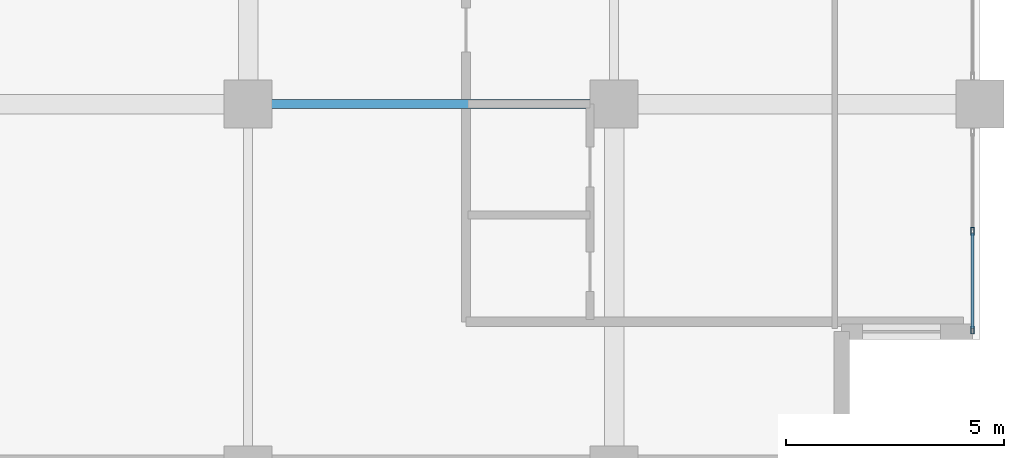
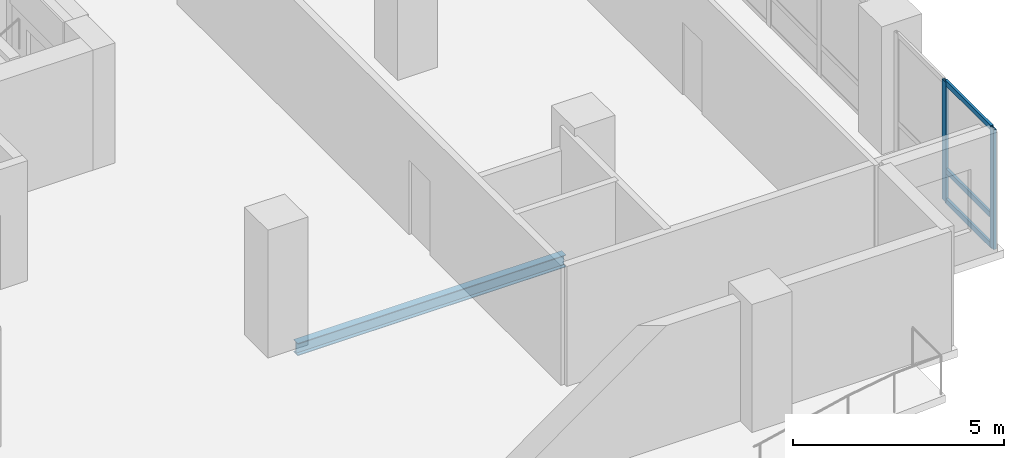
# One storey, part 3 of 21: 5 members, 1 beam, 1 element without a shape of its own.
"""IFC4 building model written with IfcOpenShell, lengths in metres."""

from ifc_helpers import new_model, si_unit, direction, frame, origin, origin_2d, place, context, subcontext, project, spatial, hollow_rectangle, i_section, extrude, material, layer, layer_set, material_profile, profile_set, type_object, element, aggregate, save


model = new_model("IFC4")

# Units and contexts
model_context = context("Model", 3, precision=1e-05, world=origin(), true_north=direction((0.0, 1.0)))
body_context = subcontext(model_context, "Body", "Model", "MODEL_VIEW")
ifc_project = project(units=[si_unit("LENGTHUNIT", "METRE"), si_unit("AREAUNIT", "SQUARE_METRE"), si_unit("VOLUMEUNIT", "CUBIC_METRE"), si_unit("PLANEANGLEUNIT", "RADIAN"), si_unit("MASSUNIT", "GRAM", prefix="KILO")], contexts=[model_context])

# Site, building, storey
site_placement = place(None, origin())
site = spatial("IfcSite", under=ifc_project, at=site_placement, CompositionType="ELEMENT")
building_placement = place(site_placement, origin())
building = spatial("IfcBuilding", under=site, at=building_placement, Name="Koriwani Terraces Tower", CompositionType="ELEMENT")
storey_placement = place(building_placement, frame((0.0, 0.0, 197.60009765625)))
storey = spatial("IfcBuildingStorey", under=building, at=storey_placement, Name="L48", CompositionType="ELEMENT", Elevation=197.60009765625)

# Curtain wall, members
ifc_material_1 = material(Name="Anodised Bronze Aluminium", Category="aluminium")
ifc_layer = layer(ifc_material_1, 0.169921875, Name="Anodised Bronze Aluminium")
ifc_layer_set = layer_set([ifc_layer], Name="Anodised Bronze Aluminium")
curtain_wall_type = type_object("IfcCurtainWallType", Name="CW_RES_ZONE3", PredefinedType="NOTDEFINED", material=ifc_layer_set)
curtain_wall_placement = place(storey_placement, origin())
curtain_wall = element("IfcCurtainWall", 1, at=curtain_wall_placement, inside=storey, type_object=curtain_wall_type, Name="L48 Unitised Curtain Wall (E_TIP) Bay 4", PredefinedType="NOTDEFINED")
ifc_material_profile_1 = material_profile(ifc_material_1, hollow_rectangle(XDim=0.074951171875, YDim=0.179931640625, WallThickness=0.006103515625, at=origin_2d()), Name="Anodised Bronze Aluminium", Category="LoadBearing")
ifc_profile_set_1 = profile_set([ifc_material_profile_1], Name="Anodised Bronze Aluminium")
member_type_1 = type_object("IfcMemberType", Name="CW_MULLION_180X75", PredefinedType="MULLION", material=ifc_profile_set_1)
member_1_placement = place(storey_placement, frame((75.425048828125, 5.482421875, 0.0), z_axis=(0.0, 0.0, 1.0), x_axis=(1.0, 0.0, 0.0)))
member_1 = element("IfcMember", 2, at=member_1_placement, type_object=member_type_1, Name="CW-Z3 mullion 2", PredefinedType="MULLION", context=body_context, shape_type="SweptSolid", body=[
    extrude(hollow_rectangle(XDim=0.074951171875, YDim=0.179931640625, WallThickness=0.006103515625, at=origin_2d()), origin(), (0.0, 0.0, 1.0), 3.469970703125),
])
member_2_placement = place(storey_placement, frame((75.425048828125, 3.21240234375, 0.0), z_axis=(0.0, 0.0, 1.0), x_axis=(1.0, 0.0, 0.0)))
member_2 = element("IfcMember", 3, at=member_2_placement, type_object=member_type_1, Name="CW-Z3 mullion 3", PredefinedType="MULLION", context=body_context, shape_type="SweptSolid", body=[
    extrude(hollow_rectangle(XDim=0.074951171875, YDim=0.179931640625, WallThickness=0.006103515625, at=origin_2d()), origin(), (0.0, 0.0, 1.0), 3.469970703125),
])
ifc_material_profile_2 = material_profile(ifc_material_1, hollow_rectangle(XDim=0.06494140625, YDim=0.14990234375, WallThickness=0.0048828125, at=origin_2d()), Name="Anodised Bronze Aluminium", Category="LoadBearing")
ifc_profile_set_2 = profile_set([ifc_material_profile_2], Name="Anodised Bronze Aluminium")
member_type_2 = type_object("IfcMemberType", Name="CW_TRANSOM_150X65", PredefinedType="USERDEFINED", material=ifc_profile_set_2)
member_3_placement = place(storey_placement, frame((75.425048828125, 5.445068359375, 0.032470703125), z_axis=(0.0, -1.0, 0.0), x_axis=(1.0, 0.0, 0.0)))
member_3 = element("IfcMember", 4, at=member_3_placement, type_object=member_type_2, Name="CW-Z3 transom 2.1", ObjectType="TRANSOM", PredefinedType="USERDEFINED", context=body_context, shape_type="SweptSolid", body=[
    extrude(hollow_rectangle(XDim=0.06494140625, YDim=0.14990234375, WallThickness=0.0048828125, at=origin_2d()), origin(), (0.0, 0.0, 1.0), 2.195068359375),
])
member_4_placement = place(storey_placement, frame((75.425048828125, 5.445068359375, 0.89990234375), z_axis=(0.0, -1.0, 0.0), x_axis=(1.0, 0.0, 0.0)))
member_4 = element("IfcMember", 5, at=member_4_placement, type_object=member_type_2, Name="CW-Z3 transom 2.2", ObjectType="TRANSOM", PredefinedType="USERDEFINED", context=body_context, shape_type="SweptSolid", body=[
    extrude(hollow_rectangle(XDim=0.06494140625, YDim=0.14990234375, WallThickness=0.0048828125, at=origin_2d()), origin(), (0.0, 0.0, 1.0), 2.195068359375),
])
member_5_placement = place(storey_placement, frame((75.425048828125, 5.445068359375, 3.4375), z_axis=(0.0, -1.0, 0.0), x_axis=(1.0, 0.0, 0.0)))
member_5 = element("IfcMember", 6, at=member_5_placement, type_object=member_type_2, Name="CW-Z3 transom 2.3", ObjectType="TRANSOM", PredefinedType="USERDEFINED", context=body_context, shape_type="SweptSolid", body=[
    extrude(hollow_rectangle(XDim=0.06494140625, YDim=0.14990234375, WallThickness=0.0048828125, at=origin_2d()), origin(), (0.0, 0.0, 1.0), 2.195068359375),
])
aggregate(curtain_wall, [member_1, member_2, member_3, member_4, member_5])

# Beam
ifc_material_2 = material(Name="Steel ASTM A572 Grade 50", Category="steel")
ifc_material_profile_3 = material_profile(ifc_material_2, i_section(OverallWidth=0.205078125, OverallDepth=0.35400390625, WebThickness=0.009521484375, FlangeThickness=0.016845703125, at=origin_2d()), Name="Steel ASTM A572 Grade 50", Category="LoadBearing")
ifc_profile_set_3 = profile_set([ifc_material_profile_3], Name="Steel ASTM A572 Grade 50")
beam_type = type_object("IfcBeamType", Name="STEEL_BEAM_W360X79", PredefinedType="JOIST", material=ifc_profile_set_3)
beam_placement = place(storey_placement, frame((59.330078125, 8.39990234375, -0.406982421875), z_axis=(1.0, 0.0, 0.0), x_axis=(0.0, 1.0, 0.0)))
element("IfcBeam", 7, at=beam_placement, inside=storey, type_object=beam_type, Name="L48 Grid Beam B (58.8-67.2m)", PredefinedType="JOIST", context=body_context, shape_type="SweptSolid", body=[
    extrude(i_section(OverallWidth=0.205078125, OverallDepth=0.35400390625, WebThickness=0.009521484375, FlangeThickness=0.016845703125, at=origin_2d()), origin(), (0.0, 0.0, 1.0), 7.33984375),
])

save(model, "model.ifc")
